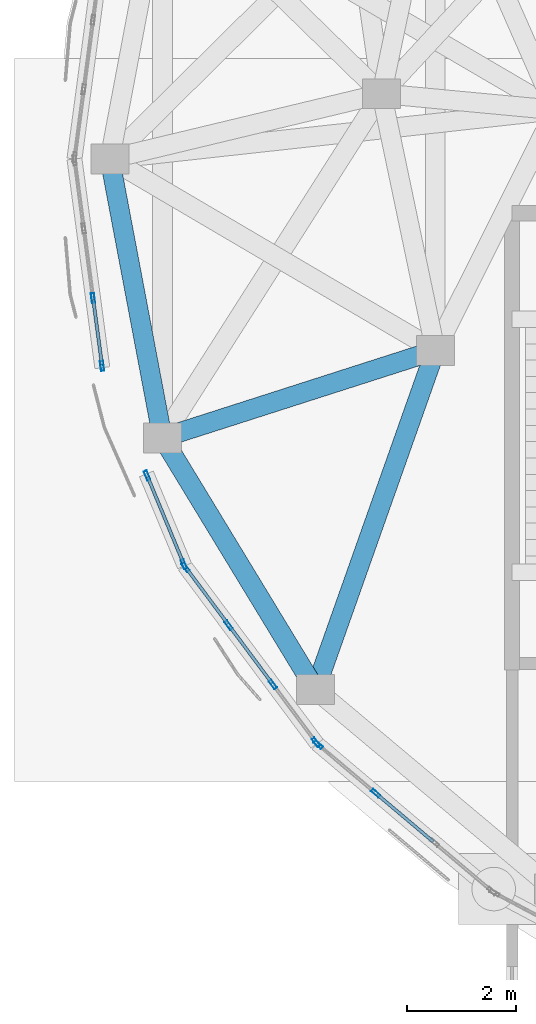
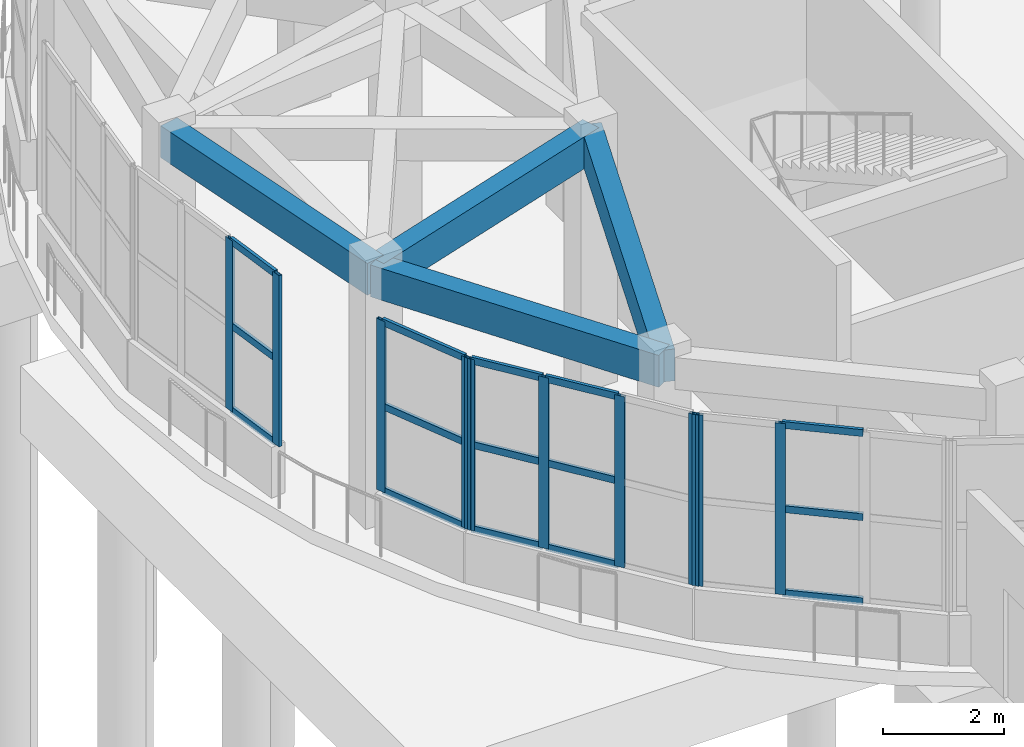
# One storey, part 6 of 96: 25 members, 4 beams, 4 elements without a shape of their own.
"""IFC4 building model written with IfcOpenShell, lengths in metres."""

from ifc_helpers import new_model, si_unit, direction, frame, origin, origin_2d, place, context, subcontext, project, spatial, rectangle, hollow_rectangle, extrude, material, layer, layer_set, material_profile, profile_set, type_object, element, aggregate, save


model = new_model("IFC4")

# Units and contexts
model_context = context("Model", 3, precision=1e-05, world=origin(), true_north=direction((0.0, 1.0)))
body_context = subcontext(model_context, "Body", "Model", "MODEL_VIEW")
ifc_project = project(units=[si_unit("LENGTHUNIT", "METRE"), si_unit("AREAUNIT", "SQUARE_METRE"), si_unit("VOLUMEUNIT", "CUBIC_METRE"), si_unit("PLANEANGLEUNIT", "RADIAN"), si_unit("MASSUNIT", "GRAM", prefix="KILO")], contexts=[model_context])

# Site, building, storey
site_placement = place(None, origin())
site = spatial("IfcSite", under=ifc_project, at=site_placement, CompositionType="ELEMENT")
building_placement = place(site_placement, origin())
building = spatial("IfcBuilding", under=site, at=building_placement, Name="Pelvatis Terrace Science Centre", CompositionType="ELEMENT")
storey_placement = place(building_placement, origin())
storey = spatial("IfcBuildingStorey", under=building, at=storey_placement, Name="L00", CompositionType="ELEMENT", Elevation=0.0)

# Curtain wall, members
ifc_material_1 = material(Name="Bronze-anodised aluminium and laminated glass", Category="aluminium")
ifc_layer = layer(ifc_material_1, 0.179931640625)
ifc_layer_set = layer_set([ifc_layer], Name="Bronze-anodised aluminium and laminated glass")
curtain_wall_type = type_object("IfcCurtainWallType", Name="CW-RIBBON-A", PredefinedType="NOTDEFINED", material=ifc_layer_set)
curtain_wall_1_placement = place(storey_placement, origin())
curtain_wall_1 = element("IfcCurtainWall", 1, at=curtain_wall_1_placement, inside=storey, type_object=curtain_wall_type, Name="Ribbon curtain wall CW-008 (L00)", PredefinedType="NOTDEFINED")
ifc_material_2 = material(Name="Bronze-anodised aluminium 6063-T6", Category="aluminium")
ifc_material_profile_1 = material_profile(ifc_material_2, hollow_rectangle(XDim=0.06005859375, YDim=0.179931640625, WallThickness=0.00390625, at=origin_2d()), Name="ALU-MUL 60x180")
ifc_profile_set_1 = profile_set([ifc_material_profile_1], Name="Bronze-anodised aluminium 6063-T6")
member_type_1 = type_object("IfcMemberType", Name="CWM-60x180", PredefinedType="MULLION", material=ifc_profile_set_1)
member_1_placement = place(storey_placement, frame((25.49169921875, 31.64111328125, 1.02001953125), z_axis=(0.0, 0.0, 1.0), x_axis=(0.991197428615, 0.132392059832, 0.0)))
member_1 = element("IfcMember", 2, at=member_1_placement, type_object=member_type_1, Name="CW-008 mullion 3", PredefinedType="MULLION", context=body_context, shape_type="SweptSolid", body=[
    extrude(hollow_rectangle(XDim=0.06005859375, YDim=0.179931640625, WallThickness=0.00390625, at=origin_2d()), origin(), (0.0, 0.0, 1.0), 3.43994140625),
])
member_2_placement = place(storey_placement, frame((25.65869140625, 30.391357421875, 1.02001953125), z_axis=(0.0, 0.0, 1.0), x_axis=(0.991197428615, 0.132392059832, 0.0)))
member_2 = element("IfcMember", 3, at=member_2_placement, type_object=member_type_1, Name="CW-008 mullion 4", PredefinedType="MULLION", context=body_context, shape_type="SweptSolid", body=[
    extrude(hollow_rectangle(XDim=0.06005859375, YDim=0.179931640625, WallThickness=0.00390625, at=origin_2d()), origin(), (0.0, 0.0, 1.0), 3.43994140625),
])

curtain_wall_2_placement = place(storey_placement, origin())
curtain_wall_2 = element("IfcCurtainWall", 4, at=curtain_wall_2_placement, inside=storey, type_object=curtain_wall_type, Name="Ribbon curtain wall CW-009 (L00)", PredefinedType="NOTDEFINED")
member_3_placement = place(storey_placement, frame((26.485107421875, 28.37890625, 1.02001953125), z_axis=(0.0, 0.0, 1.0), x_axis=(0.923673750881, 0.383179855854, 0.0)))
member_3 = element("IfcMember", 5, at=member_3_placement, type_object=member_type_1, Name="CW-009 mullion 1", PredefinedType="MULLION", context=body_context, shape_type="SweptSolid", body=[
    extrude(hollow_rectangle(XDim=0.06005859375, YDim=0.179931640625, WallThickness=0.00390625, at=origin_2d()), origin(), (0.0, 0.0, 1.0), 3.43994140625),
])
member_4_placement = place(storey_placement, frame((27.163818359375, 26.7431640625, 1.02001953125), z_axis=(0.0, 0.0, 1.0), x_axis=(0.923673750881, 0.383179855854, 0.0)))
member_4 = element("IfcMember", 6, at=member_4_placement, type_object=member_type_1, Name="CW-009 mullion 2", PredefinedType="MULLION", context=body_context, shape_type="SweptSolid", body=[
    extrude(hollow_rectangle(XDim=0.06005859375, YDim=0.179931640625, WallThickness=0.00390625, at=origin_2d()), origin(), (0.0, 0.0, 1.0), 3.43994140625),
])

curtain_wall_3_placement = place(storey_placement, origin())
curtain_wall_3 = element("IfcCurtainWall", 7, at=curtain_wall_3_placement, inside=storey, type_object=curtain_wall_type, Name="Ribbon curtain wall CW-010 (L00)", PredefinedType="NOTDEFINED")
member_5_placement = place(storey_placement, frame((27.193115234375, 26.69140625, 1.02001953125), z_axis=(0.0, 0.0, 1.0), x_axis=(0.801964132065, 0.597372187903, 0.0)))
member_5 = element("IfcMember", 8, at=member_5_placement, type_object=member_type_1, Name="CW-010 mullion 1", PredefinedType="MULLION", context=body_context, shape_type="SweptSolid", body=[
    extrude(hollow_rectangle(XDim=0.06005859375, YDim=0.179931640625, WallThickness=0.00390625, at=origin_2d()), origin(), (0.0, 0.0, 1.0), 3.43994140625),
])
member_6_placement = place(storey_placement, frame((27.9873046875, 25.625244140625, 1.02001953125), z_axis=(0.0, 0.0, 1.0), x_axis=(0.801964132065, 0.597372187903, 0.0)))
member_6 = element("IfcMember", 9, at=member_6_placement, type_object=member_type_1, Name="CW-010 mullion 2", PredefinedType="MULLION", context=body_context, shape_type="SweptSolid", body=[
    extrude(hollow_rectangle(XDim=0.06005859375, YDim=0.179931640625, WallThickness=0.00390625, at=origin_2d()), origin(), (0.0, 0.0, 1.0), 3.43994140625),
])
member_7_placement = place(storey_placement, frame((28.79931640625, 24.534912109375, 1.02001953125), z_axis=(0.0, 0.0, 1.0), x_axis=(0.801964132065, 0.597372187903, 0.0)))
member_7 = element("IfcMember", 10, at=member_7_placement, type_object=member_type_1, Name="CW-010 mullion 3", PredefinedType="MULLION", context=body_context, shape_type="SweptSolid", body=[
    extrude(hollow_rectangle(XDim=0.06005859375, YDim=0.179931640625, WallThickness=0.00390625, at=origin_2d()), origin(), (0.0, 0.0, 1.0), 3.43994140625),
])
member_8_placement = place(storey_placement, frame((29.593505859375, 23.46875, 1.02001953125), z_axis=(0.0, 0.0, 1.0), x_axis=(0.801964132065, 0.597372187903, 0.0)))
member_8 = element("IfcMember", 11, at=member_8_placement, type_object=member_type_1, Name="CW-010 mullion 4", PredefinedType="MULLION", context=body_context, shape_type="SweptSolid", body=[
    extrude(hollow_rectangle(XDim=0.06005859375, YDim=0.179931640625, WallThickness=0.00390625, at=origin_2d()), origin(), (0.0, 0.0, 1.0), 3.43994140625),
])

curtain_wall_4_placement = place(storey_placement, origin())
curtain_wall_4 = element("IfcCurtainWall", 12, at=curtain_wall_4_placement, inside=storey, type_object=curtain_wall_type, Name="Ribbon curtain wall CW-011 (L00)", PredefinedType="NOTDEFINED")
member_9_placement = place(storey_placement, frame((29.634521484375, 23.425537109375, 1.02001953125), z_axis=(0.0, 0.0, 1.0), x_axis=(0.64476794595, 0.764378372192, 0.0)))
member_9 = element("IfcMember", 13, at=member_9_placement, type_object=member_type_1, Name="CW-011 mullion 1", PredefinedType="MULLION", context=body_context, shape_type="SweptSolid", body=[
    extrude(hollow_rectangle(XDim=0.06005859375, YDim=0.179931640625, WallThickness=0.00390625, at=origin_2d()), origin(), (0.0, 0.0, 1.0), 3.43994140625),
])
member_10_placement = place(storey_placement, frame((30.69091796875, 22.534423828125, 1.02001953125), z_axis=(0.0, 0.0, 1.0), x_axis=(0.64476794595, 0.764378372192, 0.0)))
member_10 = element("IfcMember", 14, at=member_10_placement, type_object=member_type_1, Name="CW-011 mullion 2", PredefinedType="MULLION", context=body_context, shape_type="SweptSolid", body=[
    extrude(hollow_rectangle(XDim=0.06005859375, YDim=0.179931640625, WallThickness=0.00390625, at=origin_2d()), origin(), (0.0, 0.0, 1.0), 3.43994140625),
])

# Member
ifc_material_3 = material(Name="Bronze-anodised aluminium 6063-T6", Category="aluminium")
ifc_material_profile_2 = material_profile(ifc_material_3, hollow_rectangle(XDim=0.06005859375, YDim=0.139892578125, WallThickness=0.00390625, at=origin_2d()), Name="ALU-TRN 60x140")
ifc_profile_set_2 = profile_set([ifc_material_profile_2], Name="Bronze-anodised aluminium 6063-T6")
member_type_2 = type_object("IfcMemberType", Name="CWT-60x140", PredefinedType="USERDEFINED", material=ifc_profile_set_2)
member_11_placement = place(storey_placement, frame((25.495849609375, 31.611328125, 1.050048828125), z_axis=(0.132336818778, -0.991204805474, 0.0), x_axis=(0.991204805474, 0.132336818778, 0.0)))
member_11 = element("IfcMember", 15, at=member_11_placement, type_object=member_type_2, Name="CW-008 transom 3.1", ObjectType="TRANSOM", PredefinedType="USERDEFINED", context=body_context, shape_type="SweptSolid", body=[
    extrude(hollow_rectangle(XDim=0.06005859375, YDim=0.139892578125, WallThickness=0.00390625, at=origin_2d()), origin(), (0.0, 0.0, 1.0), 1.200927734375),
])

member_12_placement = place(storey_placement, frame((25.495849609375, 31.611328125, 2.739990234375), z_axis=(0.132336818778, -0.991204805474, 0.0), x_axis=(0.991204805474, 0.132336818778, 0.0)))
member_12 = element("IfcMember", 16, at=member_12_placement, type_object=member_type_2, Name="CW-008 transom 3.2", ObjectType="TRANSOM", PredefinedType="USERDEFINED", context=body_context, shape_type="SweptSolid", body=[
    extrude(hollow_rectangle(XDim=0.06005859375, YDim=0.139892578125, WallThickness=0.00390625, at=origin_2d()), origin(), (0.0, 0.0, 1.0), 1.200927734375),
])

member_13_placement = place(storey_placement, frame((25.495849609375, 31.611328125, 4.429931640625), z_axis=(0.132336818778, -0.991204805474, 0.0), x_axis=(0.991204805474, 0.132336818778, 0.0)))
member_13 = element("IfcMember", 17, at=member_13_placement, type_object=member_type_2, Name="CW-008 transom 3.3", ObjectType="TRANSOM", PredefinedType="USERDEFINED", context=body_context, shape_type="SweptSolid", body=[
    extrude(hollow_rectangle(XDim=0.06005859375, YDim=0.139892578125, WallThickness=0.00390625, at=origin_2d()), origin(), (0.0, 0.0, 1.0), 1.200927734375),
])

aggregate(curtain_wall_1, [member_1, member_2, member_11, member_12, member_13])

member_14_placement = place(storey_placement, frame((26.49658203125, 28.35107421875, 1.050048828125), z_axis=(0.383196201221, -0.923666969946, 0.0), x_axis=(0.923666969946, 0.383196201221, 0.0)))
member_14 = element("IfcMember", 18, at=member_14_placement, type_object=member_type_2, Name="CW-009 transom 1.1", ObjectType="TRANSOM", PredefinedType="USERDEFINED", context=body_context, shape_type="SweptSolid", body=[
    extrude(hollow_rectangle(XDim=0.06005859375, YDim=0.139892578125, WallThickness=0.00390625, at=origin_2d()), origin(), (0.0, 0.0, 1.0), 1.710693359375),
])

member_15_placement = place(storey_placement, frame((26.49658203125, 28.35107421875, 2.739990234375), z_axis=(0.383196201221, -0.923666969946, 0.0), x_axis=(0.923666969946, 0.383196201221, 0.0)))
member_15 = element("IfcMember", 19, at=member_15_placement, type_object=member_type_2, Name="CW-009 transom 1.2", ObjectType="TRANSOM", PredefinedType="USERDEFINED", context=body_context, shape_type="SweptSolid", body=[
    extrude(hollow_rectangle(XDim=0.06005859375, YDim=0.139892578125, WallThickness=0.00390625, at=origin_2d()), origin(), (0.0, 0.0, 1.0), 1.710693359375),
])

member_16_placement = place(storey_placement, frame((26.49658203125, 28.35107421875, 4.429931640625), z_axis=(0.383196201221, -0.923666969946, 0.0), x_axis=(0.923666969946, 0.383196201221, 0.0)))
member_16 = element("IfcMember", 20, at=member_16_placement, type_object=member_type_2, Name="CW-009 transom 1.3", ObjectType="TRANSOM", PredefinedType="USERDEFINED", context=body_context, shape_type="SweptSolid", body=[
    extrude(hollow_rectangle(XDim=0.06005859375, YDim=0.139892578125, WallThickness=0.00390625, at=origin_2d()), origin(), (0.0, 0.0, 1.0), 1.710693359375),
])

aggregate(curtain_wall_2, [member_3, member_4, member_14, member_15, member_16])

member_17_placement = place(storey_placement, frame((27.2109375, 26.66748046875, 1.050048828125), z_axis=(0.597474048889, -0.801888247142, 0.0), x_axis=(0.801888247142, 0.597474048889, 0.0)))
member_17 = element("IfcMember", 21, at=member_17_placement, type_object=member_type_2, Name="CW-010 transom 1.1", ObjectType="TRANSOM", PredefinedType="USERDEFINED", context=body_context, shape_type="SweptSolid", body=[
    extrude(hollow_rectangle(XDim=0.06005859375, YDim=0.139892578125, WallThickness=0.00390625, at=origin_2d()), origin(), (0.0, 0.0, 1.0), 1.26953125),
])

member_18_placement = place(storey_placement, frame((27.2109375, 26.66748046875, 2.739990234375), z_axis=(0.597474048889, -0.801888247142, 0.0), x_axis=(0.801888247142, 0.597474048889, 0.0)))
member_18 = element("IfcMember", 22, at=member_18_placement, type_object=member_type_2, Name="CW-010 transom 1.2", ObjectType="TRANSOM", PredefinedType="USERDEFINED", context=body_context, shape_type="SweptSolid", body=[
    extrude(hollow_rectangle(XDim=0.06005859375, YDim=0.139892578125, WallThickness=0.00390625, at=origin_2d()), origin(), (0.0, 0.0, 1.0), 1.26953125),
])

member_19_placement = place(storey_placement, frame((27.2109375, 26.66748046875, 4.429931640625), z_axis=(0.597474048889, -0.801888247142, 0.0), x_axis=(0.801888247142, 0.597474048889, 0.0)))
member_19 = element("IfcMember", 23, at=member_19_placement, type_object=member_type_2, Name="CW-010 transom 1.3", ObjectType="TRANSOM", PredefinedType="USERDEFINED", context=body_context, shape_type="SweptSolid", body=[
    extrude(hollow_rectangle(XDim=0.06005859375, YDim=0.139892578125, WallThickness=0.00390625, at=origin_2d()), origin(), (0.0, 0.0, 1.0), 1.26953125),
])

member_20_placement = place(storey_placement, frame((28.005126953125, 25.601318359375, 1.050048828125), z_axis=(0.597381840215, -0.8019569421, 0.0), x_axis=(0.8019569421, 0.597381840215, 0.0)))
member_20 = element("IfcMember", 24, at=member_20_placement, type_object=member_type_2, Name="CW-010 transom 2.1", ObjectType="TRANSOM", PredefinedType="USERDEFINED", context=body_context, shape_type="SweptSolid", body=[
    extrude(hollow_rectangle(XDim=0.06005859375, YDim=0.139892578125, WallThickness=0.00390625, at=origin_2d()), origin(), (0.0, 0.0, 1.0), 1.299560546875),
])

member_21_placement = place(storey_placement, frame((28.005126953125, 25.601318359375, 2.739990234375), z_axis=(0.597381840215, -0.8019569421, 0.0), x_axis=(0.8019569421, 0.597381840215, 0.0)))
member_21 = element("IfcMember", 25, at=member_21_placement, type_object=member_type_2, Name="CW-010 transom 2.2", ObjectType="TRANSOM", PredefinedType="USERDEFINED", context=body_context, shape_type="SweptSolid", body=[
    extrude(hollow_rectangle(XDim=0.06005859375, YDim=0.139892578125, WallThickness=0.00390625, at=origin_2d()), origin(), (0.0, 0.0, 1.0), 1.299560546875),
])

member_22_placement = place(storey_placement, frame((28.005126953125, 25.601318359375, 4.429931640625), z_axis=(0.597381840215, -0.8019569421, 0.0), x_axis=(0.8019569421, 0.597381840215, 0.0)))
member_22 = element("IfcMember", 26, at=member_22_placement, type_object=member_type_2, Name="CW-010 transom 2.3", ObjectType="TRANSOM", PredefinedType="USERDEFINED", context=body_context, shape_type="SweptSolid", body=[
    extrude(hollow_rectangle(XDim=0.06005859375, YDim=0.139892578125, WallThickness=0.00390625, at=origin_2d()), origin(), (0.0, 0.0, 1.0), 1.299560546875),
])

aggregate(curtain_wall_3, [member_5, member_6, member_7, member_8, member_17, member_18, member_19, member_20, member_21, member_22])

member_23_placement = place(storey_placement, frame((30.7138671875, 22.514892578125, 1.050048828125), z_axis=(0.764433319597, -0.64470279966, 0.0), x_axis=(0.64470279966, 0.764433319597, 0.0)))
member_23 = element("IfcMember", 27, at=member_23_placement, type_object=member_type_2, Name="CW-011 transom 2.1", ObjectType="TRANSOM", PredefinedType="USERDEFINED", context=body_context, shape_type="SweptSolid", body=[
    extrude(hollow_rectangle(XDim=0.06005859375, YDim=0.139892578125, WallThickness=0.00390625, at=origin_2d()), origin(), (0.0, 0.0, 1.0), 1.351806640625),
])

member_24_placement = place(storey_placement, frame((30.7138671875, 22.514892578125, 2.739990234375), z_axis=(0.764433319597, -0.64470279966, 0.0), x_axis=(0.64470279966, 0.764433319597, 0.0)))
member_24 = element("IfcMember", 28, at=member_24_placement, type_object=member_type_2, Name="CW-011 transom 2.2", ObjectType="TRANSOM", PredefinedType="USERDEFINED", context=body_context, shape_type="SweptSolid", body=[
    extrude(hollow_rectangle(XDim=0.06005859375, YDim=0.139892578125, WallThickness=0.00390625, at=origin_2d()), origin(), (0.0, 0.0, 1.0), 1.351806640625),
])

member_25_placement = place(storey_placement, frame((30.7138671875, 22.514892578125, 4.429931640625), z_axis=(0.764433319597, -0.64470279966, 0.0), x_axis=(0.64470279966, 0.764433319597, 0.0)))
member_25 = element("IfcMember", 29, at=member_25_placement, type_object=member_type_2, Name="CW-011 transom 2.3", ObjectType="TRANSOM", PredefinedType="USERDEFINED", context=body_context, shape_type="SweptSolid", body=[
    extrude(hollow_rectangle(XDim=0.06005859375, YDim=0.139892578125, WallThickness=0.00390625, at=origin_2d()), origin(), (0.0, 0.0, 1.0), 1.351806640625),
])

aggregate(curtain_wall_4, [member_9, member_10, member_23, member_24, member_25])

# Beams
ifc_material_4 = material(Name="Concrete C35/45", Category="concrete")
ifc_material_profile_3 = material_profile(ifc_material_4, rectangle(XDim=0.360107421875, YDim=0.639892578125, at=origin_2d()), Name="RC-SPN 360x640")
ifc_profile_set_3 = profile_set([ifc_material_profile_3], Name="Concrete C35/45")
beam_type = type_object("IfcBeamType", Name="SPN-RC-360x640", PredefinedType="SPANDREL", material=ifc_profile_set_3)
beam_1_placement = place(storey_placement, frame((31.7890625, 30.68017578125, 4.820068359375), z_axis=(-0.95223361175, -0.30537051045, 0.0), x_axis=(0.30537051045, -0.95223361175, 0.0)))
element("IfcBeam", 30, at=beam_1_placement, inside=storey, type_object=beam_type, Name="Spandrel SP-L00-2341", PredefinedType="SPANDREL", context=body_context, shape_type="SweptSolid", body=[
    extrude(rectangle(XDim=0.360107421875, YDim=0.639892578125, at=origin_2d()), origin(), (0.0, 0.0, 1.0), 5.271728515625),
])
beam_2_placement = place(storey_placement, frame((31.7890625, 30.68017578125, 4.820068359375), z_axis=(-0.333642218072, -0.942699777405, 0.0), x_axis=(0.942699777405, -0.333642218072, 0.0)))
element("IfcBeam", 31, at=beam_2_placement, inside=storey, type_object=beam_type, Name="Spandrel SP-L00-2342", PredefinedType="SPANDREL", context=body_context, shape_type="SweptSolid", body=[
    extrude(rectangle(XDim=0.360107421875, YDim=0.639892578125, at=origin_2d()), origin(), (0.0, 0.0, 1.0), 6.616455078125),
])
beam_3_placement = place(storey_placement, frame((25.800048828125, 34.199951171875, 4.820068359375), z_axis=(0.185618314588, -0.982621921845, 0.0), x_axis=(0.982621921845, 0.185618314588, 0.0)))
element("IfcBeam", 32, at=beam_3_placement, inside=storey, type_object=beam_type, Name="Spandrel SP-L00-2376", PredefinedType="SPANDREL", context=body_context, shape_type="SweptSolid", body=[
    extrude(rectangle(XDim=0.360107421875, YDim=0.639892578125, at=origin_2d()), origin(), (0.0, 0.0, 1.0), 5.220458984375),
])
beam_4_placement = place(storey_placement, frame((26.76904296875, 29.0703125, 4.820068359375), z_axis=(0.519380439272, -0.854543128989, 0.0), x_axis=(0.854543128989, 0.519380439272, 0.0)))
element("IfcBeam", 33, at=beam_4_placement, inside=storey, type_object=beam_type, Name="Spandrel SP-L00-2378", PredefinedType="SPANDREL", context=body_context, shape_type="SweptSolid", body=[
    extrude(rectangle(XDim=0.360107421875, YDim=0.639892578125, at=origin_2d()), origin(), (0.0, 0.0, 1.0), 5.4150390625),
])

save(model, "model.ifc")
